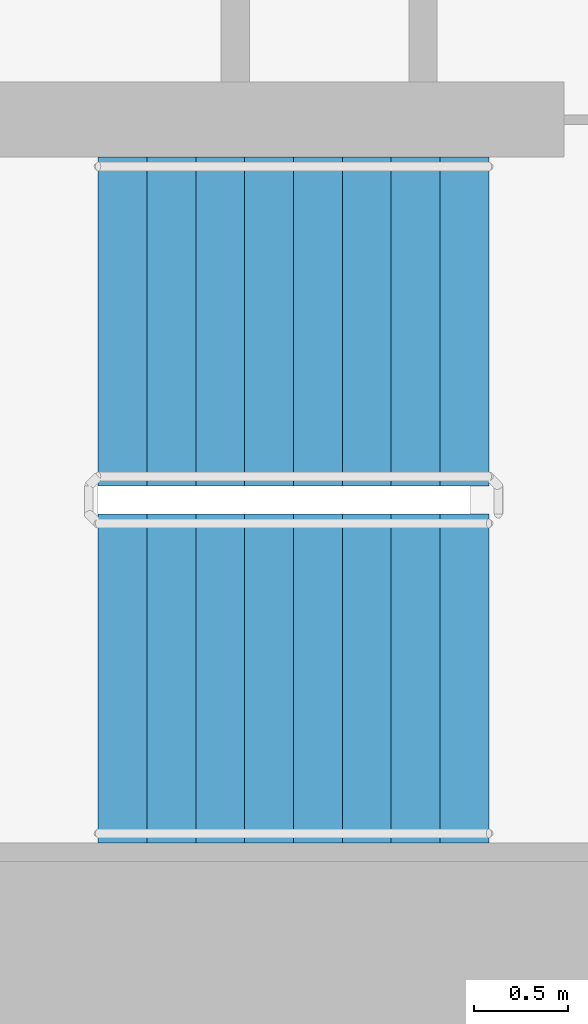
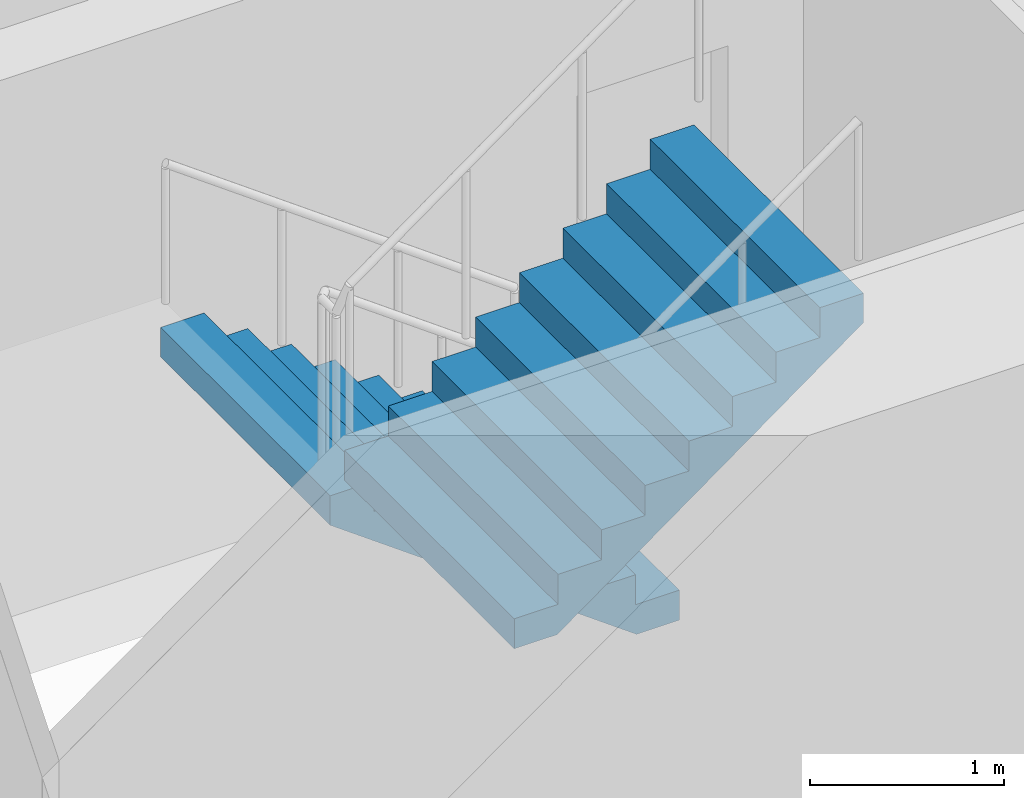
# One storey, part 16 of 21: 2 stair flights, 1 element without a shape of its own.
"""IFC4 building model written with IfcOpenShell, lengths in metres."""

from ifc_helpers import new_model, si_unit, direction, frame, origin, place, context, subcontext, project, spatial, faceted_brep, material, type_object, element, aggregate, save


model = new_model("IFC4")

# Units and contexts
model_context = context("Model", 3, precision=1e-05, world=origin(), true_north=direction((0.0, 1.0)))
body_context = subcontext(model_context, "Body", "Model", "MODEL_VIEW")
ifc_project = project(units=[si_unit("LENGTHUNIT", "METRE"), si_unit("AREAUNIT", "SQUARE_METRE"), si_unit("VOLUMEUNIT", "CUBIC_METRE"), si_unit("PLANEANGLEUNIT", "RADIAN"), si_unit("MASSUNIT", "GRAM", prefix="KILO")], contexts=[model_context])

# Site, building, storey
site_placement = place(None, origin())
site = spatial("IfcSite", under=ifc_project, at=site_placement, CompositionType="ELEMENT")
building_placement = place(site_placement, origin())
building = spatial("IfcBuilding", under=site, at=building_placement, Name="Ipe Terrace Towers", CompositionType="ELEMENT")
storey_placement = place(building_placement, frame((0.0, 0.0, 34.699951171875)))
storey = spatial("IfcBuildingStorey", under=building, at=storey_placement, Name="L08", CompositionType="ELEMENT", Elevation=34.699951171875)

# Stair, stair flights
ifc_material_1 = material(Name="Concrete C30/37", Category="concrete")
stair_type = type_object("IfcStairType", Name="Protected exit stair", PredefinedType="HALF_TURN_STAIR", material=ifc_material_1)
stair_placement = place(storey_placement, origin())
stair = element("IfcStair", 1, at=stair_placement, inside=storey, type_object=stair_type, Name="L08 Exit stair T1-C2", PredefinedType="HALF_TURN_STAIR")
ifc_material_2 = material(Name="Concrete C30/37", Category="concrete")
stair_flight_type = type_object("IfcStairFlightType", Name="Exit stair flight 1750", PredefinedType="STRAIGHT", material=ifc_material_2)
stair_flight_1_placement = place(storey_placement, frame((-45.699951171875, -2.77490234375, 0.0), z_axis=(0.0, 0.0, 1.0), x_axis=(-1.0, 0.0, 0.0)))
stair_flight_1 = element("IfcStairFlight", 2, at=stair_flight_1_placement, type_object=stair_flight_type, Name="T1-ST2 flight 1", NumberOfRisers=9, NumberOfTreads=8, PredefinedType="STRAIGHT", RiserHeight=0.188888889, TreadLength=0.26, context=body_context, shape_type="Brep", body=[
    faceted_brep([(0.255126953125, -0.875, 0.0), (2.080078125, -0.875, 1.325927734375), (2.080078125, -0.875, 1.51123046875), (1.820068359375, -0.875, 1.51123046875), (1.820068359375, -0.875, 1.322265625), (1.56005859375, -0.875, 1.322265625), (1.56005859375, -0.875, 1.13330078125), (1.300048828125, -0.875, 1.13330078125), (1.300048828125, -0.875, 0.9443359375), (1.0400390625, -0.875, 0.9443359375), (1.0400390625, -0.875, 0.755615234375), (0.780029296875, -0.875, 0.755615234375), (0.780029296875, -0.875, 0.566650390625), (0.52001953125, -0.875, 0.566650390625), (0.52001953125, -0.875, 0.377685546875), (0.260009765625, -0.875, 0.377685546875), (0.260009765625, -0.875, 0.18896484375), (0.0, -0.875, 0.18896484375), (0.0, -0.875, 0.0), (0.0, 0.875, 0.0), (0.0, 0.875, 0.18896484375), (0.260009765625, 0.875, 0.18896484375), (0.260009765625, 0.875, 0.377685546875), (0.52001953125, 0.875, 0.377685546875), (0.52001953125, 0.875, 0.566650390625), (0.780029296875, 0.875, 0.566650390625), (0.780029296875, 0.875, 0.755615234375), (1.0400390625, 0.875, 0.755615234375), (1.0400390625, 0.875, 0.9443359375), (1.300048828125, 0.875, 0.9443359375), (1.300048828125, 0.875, 1.13330078125), (1.56005859375, 0.875, 1.13330078125), (1.56005859375, 0.875, 1.322265625), (1.820068359375, 0.875, 1.322265625), (1.820068359375, 0.875, 1.51123046875), (2.080078125, 0.875, 1.51123046875), (2.080078125, 0.875, 1.325927734375), (0.255126953125, 0.875, 0.0), (0.0, -0.300048828125, 0.18896484375), (0.0, -0.1201171875, 0.18896484375), (0.0, -0.06005859375, 0.18896484375), (0.0, -0.030029296875, 0.18896484375), (0.0, -0.010009765625, 0.18896484375), (0.0, 0.0, 0.18896484375), (0.0, 0.010009765625, 0.18896484375), (0.0, 0.030029296875, 0.18896484375), (0.0, 0.06005859375, 0.18896484375), (0.0, 0.1201171875, 0.18896484375), (0.0, 0.300048828125, 0.18896484375), (0.0, 0.300048828125, 0.0), (0.0, 0.1201171875, 0.0), (0.0, 0.06005859375, 0.0), (0.0, 0.030029296875, 0.0), (0.0, 0.010009765625, 0.0), (0.0, 0.0, 0.0), (0.0, -0.010009765625, 0.0), (0.0, -0.030029296875, 0.0), (0.0, -0.06005859375, 0.0), (0.0, -0.1201171875, 0.0), (0.0, -0.300048828125, 0.0), (0.260009765625, -0.300048828125, 0.18896484375), (0.260009765625, -0.1201171875, 0.18896484375), (0.260009765625, -0.06005859375, 0.18896484375), (0.260009765625, -0.030029296875, 0.18896484375), (0.260009765625, -0.010009765625, 0.18896484375), (0.260009765625, 0.0, 0.18896484375), (0.260009765625, 0.010009765625, 0.18896484375), (0.260009765625, 0.030029296875, 0.18896484375), (0.260009765625, 0.06005859375, 0.18896484375), (0.260009765625, 0.1201171875, 0.18896484375), (0.260009765625, 0.300048828125, 0.18896484375), (0.260009765625, -0.300048828125, 0.377685546875), (0.260009765625, -0.1201171875, 0.377685546875), (0.260009765625, -0.06005859375, 0.377685546875), (0.260009765625, -0.030029296875, 0.377685546875), (0.260009765625, -0.010009765625, 0.377685546875), (0.260009765625, 0.0, 0.377685546875), (0.260009765625, 0.010009765625, 0.377685546875), (0.260009765625, 0.030029296875, 0.377685546875), (0.260009765625, 0.06005859375, 0.377685546875), (0.260009765625, 0.1201171875, 0.377685546875), (0.260009765625, 0.300048828125, 0.377685546875), (0.52001953125, -0.300048828125, 0.377685546875), (0.52001953125, -0.1201171875, 0.377685546875), (0.52001953125, -0.06005859375, 0.377685546875), (0.52001953125, -0.030029296875, 0.377685546875), (0.52001953125, -0.010009765625, 0.377685546875), (0.52001953125, 0.0, 0.377685546875), (0.52001953125, 0.010009765625, 0.377685546875), (0.52001953125, 0.030029296875, 0.377685546875), (0.52001953125, 0.06005859375, 0.377685546875), (0.52001953125, 0.1201171875, 0.377685546875), (0.52001953125, 0.300048828125, 0.377685546875), (0.52001953125, -0.300048828125, 0.566650390625), (0.52001953125, -0.1201171875, 0.566650390625), (0.52001953125, -0.06005859375, 0.566650390625), (0.52001953125, -0.030029296875, 0.566650390625), (0.52001953125, -0.010009765625, 0.566650390625), (0.52001953125, 0.0, 0.566650390625), (0.52001953125, 0.010009765625, 0.566650390625), (0.52001953125, 0.030029296875, 0.566650390625), (0.52001953125, 0.06005859375, 0.566650390625), (0.52001953125, 0.1201171875, 0.566650390625), (0.52001953125, 0.300048828125, 0.566650390625), (0.780029296875, -0.300048828125, 0.566650390625), (0.780029296875, -0.1201171875, 0.566650390625), (0.780029296875, -0.06005859375, 0.566650390625), (0.780029296875, -0.030029296875, 0.566650390625), (0.780029296875, -0.010009765625, 0.566650390625), (0.780029296875, 0.0, 0.566650390625), (0.780029296875, 0.010009765625, 0.566650390625), (0.780029296875, 0.030029296875, 0.566650390625), (0.780029296875, 0.06005859375, 0.566650390625), (0.780029296875, 0.1201171875, 0.566650390625), (0.780029296875, 0.300048828125, 0.566650390625), (0.780029296875, -0.300048828125, 0.755615234375), (0.780029296875, -0.1201171875, 0.755615234375), (0.780029296875, -0.06005859375, 0.755615234375), (0.780029296875, -0.030029296875, 0.755615234375), (0.780029296875, -0.010009765625, 0.755615234375), (0.780029296875, 0.0, 0.755615234375), (0.780029296875, 0.010009765625, 0.755615234375), (0.780029296875, 0.030029296875, 0.755615234375), (0.780029296875, 0.06005859375, 0.755615234375), (0.780029296875, 0.1201171875, 0.755615234375), (0.780029296875, 0.300048828125, 0.755615234375), (1.0400390625, -0.300048828125, 0.755615234375), (1.0400390625, -0.1201171875, 0.755615234375), (1.0400390625, -0.06005859375, 0.755615234375), (1.0400390625, -0.030029296875, 0.755615234375), (1.0400390625, -0.010009765625, 0.755615234375), (1.0400390625, 0.0, 0.755615234375), (1.0400390625, 0.010009765625, 0.755615234375), (1.0400390625, 0.030029296875, 0.755615234375), (1.0400390625, 0.06005859375, 0.755615234375), (1.0400390625, 0.1201171875, 0.755615234375), (1.0400390625, 0.300048828125, 0.755615234375), (1.0400390625, -0.300048828125, 0.9443359375), (1.0400390625, -0.1201171875, 0.9443359375), (1.0400390625, -0.06005859375, 0.9443359375), (1.0400390625, -0.030029296875, 0.9443359375), (1.0400390625, -0.010009765625, 0.9443359375), (1.0400390625, 0.0, 0.9443359375), (1.0400390625, 0.010009765625, 0.9443359375), (1.0400390625, 0.030029296875, 0.9443359375), (1.0400390625, 0.06005859375, 0.9443359375), (1.0400390625, 0.1201171875, 0.9443359375), (1.0400390625, 0.300048828125, 0.9443359375), (1.300048828125, -0.300048828125, 0.9443359375), (1.300048828125, -0.1201171875, 0.9443359375), (1.300048828125, -0.06005859375, 0.9443359375), (1.300048828125, -0.030029296875, 0.9443359375), (1.300048828125, -0.010009765625, 0.9443359375), (1.300048828125, 0.0, 0.9443359375), (1.300048828125, 0.010009765625, 0.9443359375), (1.300048828125, 0.030029296875, 0.9443359375), (1.300048828125, 0.06005859375, 0.9443359375), (1.300048828125, 0.1201171875, 0.9443359375), (1.300048828125, 0.300048828125, 0.9443359375), (1.300048828125, -0.300048828125, 1.13330078125), (1.300048828125, -0.1201171875, 1.13330078125), (1.300048828125, -0.06005859375, 1.13330078125), (1.300048828125, -0.030029296875, 1.13330078125), (1.300048828125, -0.010009765625, 1.13330078125), (1.300048828125, 0.0, 1.13330078125), (1.300048828125, 0.010009765625, 1.13330078125), (1.300048828125, 0.030029296875, 1.13330078125), (1.300048828125, 0.06005859375, 1.13330078125), (1.300048828125, 0.1201171875, 1.13330078125), (1.300048828125, 0.300048828125, 1.13330078125), (1.56005859375, -0.300048828125, 1.13330078125), (1.56005859375, -0.1201171875, 1.13330078125), (1.56005859375, -0.06005859375, 1.13330078125), (1.56005859375, -0.030029296875, 1.13330078125), (1.56005859375, -0.010009765625, 1.13330078125), (1.56005859375, 0.0, 1.13330078125), (1.56005859375, 0.010009765625, 1.13330078125), (1.56005859375, 0.030029296875, 1.13330078125), (1.56005859375, 0.06005859375, 1.13330078125), (1.56005859375, 0.1201171875, 1.13330078125), (1.56005859375, 0.300048828125, 1.13330078125), (1.56005859375, -0.300048828125, 1.322265625), (1.56005859375, -0.1201171875, 1.322265625), (1.56005859375, -0.06005859375, 1.322265625), (1.56005859375, -0.030029296875, 1.322265625), (1.56005859375, -0.010009765625, 1.322265625), (1.56005859375, 0.0, 1.322265625), (1.56005859375, 0.010009765625, 1.322265625), (1.56005859375, 0.030029296875, 1.322265625), (1.56005859375, 0.06005859375, 1.322265625), (1.56005859375, 0.1201171875, 1.322265625), (1.56005859375, 0.300048828125, 1.322265625), (1.820068359375, -0.300048828125, 1.322265625), (1.820068359375, -0.1201171875, 1.322265625), (1.820068359375, -0.06005859375, 1.322265625), (1.820068359375, -0.030029296875, 1.322265625), (1.820068359375, -0.010009765625, 1.322265625), (1.820068359375, 0.0, 1.322265625), (1.820068359375, 0.010009765625, 1.322265625), (1.820068359375, 0.030029296875, 1.322265625), (1.820068359375, 0.06005859375, 1.322265625), (1.820068359375, 0.1201171875, 1.322265625), (1.820068359375, 0.300048828125, 1.322265625), (1.820068359375, -0.300048828125, 1.51123046875), (1.820068359375, -0.1201171875, 1.51123046875), (1.820068359375, -0.06005859375, 1.51123046875), (1.820068359375, -0.030029296875, 1.51123046875), (1.820068359375, -0.010009765625, 1.51123046875), (1.820068359375, 0.0, 1.51123046875), (1.820068359375, 0.010009765625, 1.51123046875), (1.820068359375, 0.030029296875, 1.51123046875), (1.820068359375, 0.06005859375, 1.51123046875), (1.820068359375, 0.1201171875, 1.51123046875), (1.820068359375, 0.300048828125, 1.51123046875), (2.080078125, -0.300048828125, 1.51123046875), (2.080078125, -0.1201171875, 1.51123046875), (2.080078125, -0.06005859375, 1.51123046875), (2.080078125, -0.030029296875, 1.51123046875), (2.080078125, -0.010009765625, 1.51123046875), (2.080078125, 0.0, 1.51123046875), (2.080078125, 0.010009765625, 1.51123046875), (2.080078125, 0.030029296875, 1.51123046875), (2.080078125, 0.06005859375, 1.51123046875), (2.080078125, 0.1201171875, 1.51123046875), (2.080078125, 0.300048828125, 1.51123046875), (2.080078125, -0.300048828125, 1.325927734375), (2.080078125, -0.1201171875, 1.325927734375), (2.080078125, -0.06005859375, 1.325927734375), (2.080078125, -0.030029296875, 1.325927734375), (2.080078125, -0.010009765625, 1.325927734375), (2.080078125, 0.0, 1.325927734375), (2.080078125, 0.010009765625, 1.325927734375), (2.080078125, 0.030029296875, 1.325927734375), (2.080078125, 0.06005859375, 1.325927734375), (2.080078125, 0.1201171875, 1.325927734375), (2.080078125, 0.300048828125, 1.325927734375), (0.255126953125, -0.300048828125, 0.0), (0.255126953125, -0.1201171875, 0.0), (0.255126953125, -0.06005859375, 0.0), (0.255126953125, -0.030029296875, 0.0), (0.255126953125, -0.010009765625, 0.0), (0.255126953125, 0.0, 0.0), (0.255126953125, 0.010009765625, 0.0), (0.255126953125, 0.030029296875, 0.0), (0.255126953125, 0.06005859375, 0.0), (0.255126953125, 0.1201171875, 0.0), (0.255126953125, 0.300048828125, 0.0)], [[[0, 1, 2, 3, 4, 5, 6, 7, 8, 9, 10, 11, 12, 13, 14, 15, 16, 17, 18]], [[19, 20, 21, 22, 23, 24, 25, 26, 27, 28, 29, 30, 31, 32, 33, 34, 35, 36, 37]], [[17, 38, 39, 40, 41, 42, 43, 44, 45, 46, 47, 48, 20, 19, 49, 50, 51, 52, 53, 54, 55, 56, 57, 58, 59, 18]], [[16, 60, 61, 62, 63, 64, 65, 66, 67, 68, 69, 70, 21, 20, 48, 47, 46, 45, 44, 43, 42, 41, 40, 39, 38, 17]], [[15, 71, 72, 73, 74, 75, 76, 77, 78, 79, 80, 81, 22, 21, 70, 69, 68, 67, 66, 65, 64, 63, 62, 61, 60, 16]], [[14, 82, 83, 84, 85, 86, 87, 88, 89, 90, 91, 92, 23, 22, 81, 80, 79, 78, 77, 76, 75, 74, 73, 72, 71, 15]], [[13, 93, 94, 95, 96, 97, 98, 99, 100, 101, 102, 103, 24, 23, 92, 91, 90, 89, 88, 87, 86, 85, 84, 83, 82, 14]], [[12, 104, 105, 106, 107, 108, 109, 110, 111, 112, 113, 114, 25, 24, 103, 102, 101, 100, 99, 98, 97, 96, 95, 94, 93, 13]], [[11, 115, 116, 117, 118, 119, 120, 121, 122, 123, 124, 125, 26, 25, 114, 113, 112, 111, 110, 109, 108, 107, 106, 105, 104, 12]], [[10, 126, 127, 128, 129, 130, 131, 132, 133, 134, 135, 136, 27, 26, 125, 124, 123, 122, 121, 120, 119, 118, 117, 116, 115, 11]], [[9, 137, 138, 139, 140, 141, 142, 143, 144, 145, 146, 147, 28, 27, 136, 135, 134, 133, 132, 131, 130, 129, 128, 127, 126, 10]], [[8, 148, 149, 150, 151, 152, 153, 154, 155, 156, 157, 158, 29, 28, 147, 146, 145, 144, 143, 142, 141, 140, 139, 138, 137, 9]], [[7, 159, 160, 161, 162, 163, 164, 165, 166, 167, 168, 169, 30, 29, 158, 157, 156, 155, 154, 153, 152, 151, 150, 149, 148, 8]], [[6, 170, 171, 172, 173, 174, 175, 176, 177, 178, 179, 180, 31, 30, 169, 168, 167, 166, 165, 164, 163, 162, 161, 160, 159, 7]], [[5, 181, 182, 183, 184, 185, 186, 187, 188, 189, 190, 191, 32, 31, 180, 179, 178, 177, 176, 175, 174, 173, 172, 171, 170, 6]], [[4, 192, 193, 194, 195, 196, 197, 198, 199, 200, 201, 202, 33, 32, 191, 190, 189, 188, 187, 186, 185, 184, 183, 182, 181, 5]], [[3, 203, 204, 205, 206, 207, 208, 209, 210, 211, 212, 213, 34, 33, 202, 201, 200, 199, 198, 197, 196, 195, 194, 193, 192, 4]], [[2, 214, 215, 216, 217, 218, 219, 220, 221, 222, 223, 224, 35, 34, 213, 212, 211, 210, 209, 208, 207, 206, 205, 204, 203, 3]], [[1, 225, 226, 227, 228, 229, 230, 231, 232, 233, 234, 235, 36, 35, 224, 223, 222, 221, 220, 219, 218, 217, 216, 215, 214, 2]], [[0, 236, 237, 238, 239, 240, 241, 242, 243, 244, 245, 246, 37, 36, 235, 234, 233, 232, 231, 230, 229, 228, 227, 226, 225, 1]], [[18, 59, 58, 57, 56, 55, 54, 53, 52, 51, 50, 49, 19, 37, 246, 245, 244, 243, 242, 241, 240, 239, 238, 237, 236, 0]]]),
])
stair_flight_2_placement = place(storey_placement, frame((-47.780029296875, -4.675048828125, 1.699951171875), z_axis=(0.0, 0.0, 1.0), x_axis=(1.0, 0.0, 0.0)))
stair_flight_2 = element("IfcStairFlight", 3, at=stair_flight_2_placement, type_object=stair_flight_type, Name="T1-ST2 flight 2", NumberOfRisers=9, NumberOfTreads=8, PredefinedType="STRAIGHT", RiserHeight=0.188888889, TreadLength=0.26, context=body_context, shape_type="Brep", body=[
    faceted_brep([(0.255126953125, -0.875, 0.0), (2.080078125, -0.875, 1.325927734375), (2.080078125, -0.875, 1.51123046875), (1.820068359375, -0.875, 1.51123046875), (1.820068359375, -0.875, 1.322265625), (1.56005859375, -0.875, 1.322265625), (1.56005859375, -0.875, 1.13330078125), (1.300048828125, -0.875, 1.13330078125), (1.300048828125, -0.875, 0.9443359375), (1.0400390625, -0.875, 0.9443359375), (1.0400390625, -0.875, 0.755615234375), (0.780029296875, -0.875, 0.755615234375), (0.780029296875, -0.875, 0.566650390625), (0.52001953125, -0.875, 0.566650390625), (0.52001953125, -0.875, 0.377685546875), (0.260009765625, -0.875, 0.377685546875), (0.260009765625, -0.875, 0.18896484375), (0.0, -0.875, 0.18896484375), (0.0, -0.875, 0.0), (0.0, 0.875, 0.0), (0.0, 0.875, 0.18896484375), (0.260009765625, 0.875, 0.18896484375), (0.260009765625, 0.875, 0.377685546875), (0.52001953125, 0.875, 0.377685546875), (0.52001953125, 0.875, 0.566650390625), (0.780029296875, 0.875, 0.566650390625), (0.780029296875, 0.875, 0.755615234375), (1.0400390625, 0.875, 0.755615234375), (1.0400390625, 0.875, 0.9443359375), (1.300048828125, 0.875, 0.9443359375), (1.300048828125, 0.875, 1.13330078125), (1.56005859375, 0.875, 1.13330078125), (1.56005859375, 0.875, 1.322265625), (1.820068359375, 0.875, 1.322265625), (1.820068359375, 0.875, 1.51123046875), (2.080078125, 0.875, 1.51123046875), (2.080078125, 0.875, 1.325927734375), (0.255126953125, 0.875, 0.0), (0.0, -0.300048828125, 0.18896484375), (0.0, -0.1201171875, 0.18896484375), (0.0, -0.06005859375, 0.18896484375), (0.0, -0.030029296875, 0.18896484375), (0.0, -0.010009765625, 0.18896484375), (0.0, 0.0, 0.18896484375), (0.0, 0.010009765625, 0.18896484375), (0.0, 0.030029296875, 0.18896484375), (0.0, 0.06005859375, 0.18896484375), (0.0, 0.1201171875, 0.18896484375), (0.0, 0.300048828125, 0.18896484375), (0.0, 0.300048828125, 0.0), (0.0, 0.1201171875, 0.0), (0.0, 0.06005859375, 0.0), (0.0, 0.030029296875, 0.0), (0.0, 0.010009765625, 0.0), (0.0, 0.0, 0.0), (0.0, -0.010009765625, 0.0), (0.0, -0.030029296875, 0.0), (0.0, -0.06005859375, 0.0), (0.0, -0.1201171875, 0.0), (0.0, -0.300048828125, 0.0), (0.260009765625, -0.300048828125, 0.18896484375), (0.260009765625, -0.1201171875, 0.18896484375), (0.260009765625, -0.06005859375, 0.18896484375), (0.260009765625, -0.030029296875, 0.18896484375), (0.260009765625, -0.010009765625, 0.18896484375), (0.260009765625, 0.0, 0.18896484375), (0.260009765625, 0.010009765625, 0.18896484375), (0.260009765625, 0.030029296875, 0.18896484375), (0.260009765625, 0.06005859375, 0.18896484375), (0.260009765625, 0.1201171875, 0.18896484375), (0.260009765625, 0.300048828125, 0.18896484375), (0.260009765625, -0.300048828125, 0.377685546875), (0.260009765625, -0.1201171875, 0.377685546875), (0.260009765625, -0.06005859375, 0.377685546875), (0.260009765625, -0.030029296875, 0.377685546875), (0.260009765625, -0.010009765625, 0.377685546875), (0.260009765625, 0.0, 0.377685546875), (0.260009765625, 0.010009765625, 0.377685546875), (0.260009765625, 0.030029296875, 0.377685546875), (0.260009765625, 0.06005859375, 0.377685546875), (0.260009765625, 0.1201171875, 0.377685546875), (0.260009765625, 0.300048828125, 0.377685546875), (0.52001953125, -0.300048828125, 0.377685546875), (0.52001953125, -0.1201171875, 0.377685546875), (0.52001953125, -0.06005859375, 0.377685546875), (0.52001953125, -0.030029296875, 0.377685546875), (0.52001953125, -0.010009765625, 0.377685546875), (0.52001953125, 0.0, 0.377685546875), (0.52001953125, 0.010009765625, 0.377685546875), (0.52001953125, 0.030029296875, 0.377685546875), (0.52001953125, 0.06005859375, 0.377685546875), (0.52001953125, 0.1201171875, 0.377685546875), (0.52001953125, 0.300048828125, 0.377685546875), (0.52001953125, -0.300048828125, 0.566650390625), (0.52001953125, -0.1201171875, 0.566650390625), (0.52001953125, -0.06005859375, 0.566650390625), (0.52001953125, -0.030029296875, 0.566650390625), (0.52001953125, -0.010009765625, 0.566650390625), (0.52001953125, 0.0, 0.566650390625), (0.52001953125, 0.010009765625, 0.566650390625), (0.52001953125, 0.030029296875, 0.566650390625), (0.52001953125, 0.06005859375, 0.566650390625), (0.52001953125, 0.1201171875, 0.566650390625), (0.52001953125, 0.300048828125, 0.566650390625), (0.780029296875, -0.300048828125, 0.566650390625), (0.780029296875, -0.1201171875, 0.566650390625), (0.780029296875, -0.06005859375, 0.566650390625), (0.780029296875, -0.030029296875, 0.566650390625), (0.780029296875, -0.010009765625, 0.566650390625), (0.780029296875, 0.0, 0.566650390625), (0.780029296875, 0.010009765625, 0.566650390625), (0.780029296875, 0.030029296875, 0.566650390625), (0.780029296875, 0.06005859375, 0.566650390625), (0.780029296875, 0.1201171875, 0.566650390625), (0.780029296875, 0.300048828125, 0.566650390625), (0.780029296875, -0.300048828125, 0.755615234375), (0.780029296875, -0.1201171875, 0.755615234375), (0.780029296875, -0.06005859375, 0.755615234375), (0.780029296875, -0.030029296875, 0.755615234375), (0.780029296875, -0.010009765625, 0.755615234375), (0.780029296875, 0.0, 0.755615234375), (0.780029296875, 0.010009765625, 0.755615234375), (0.780029296875, 0.030029296875, 0.755615234375), (0.780029296875, 0.06005859375, 0.755615234375), (0.780029296875, 0.1201171875, 0.755615234375), (0.780029296875, 0.300048828125, 0.755615234375), (1.0400390625, -0.300048828125, 0.755615234375), (1.0400390625, -0.1201171875, 0.755615234375), (1.0400390625, -0.06005859375, 0.755615234375), (1.0400390625, -0.030029296875, 0.755615234375), (1.0400390625, -0.010009765625, 0.755615234375), (1.0400390625, 0.0, 0.755615234375), (1.0400390625, 0.010009765625, 0.755615234375), (1.0400390625, 0.030029296875, 0.755615234375), (1.0400390625, 0.06005859375, 0.755615234375), (1.0400390625, 0.1201171875, 0.755615234375), (1.0400390625, 0.300048828125, 0.755615234375), (1.0400390625, -0.300048828125, 0.9443359375), (1.0400390625, -0.1201171875, 0.9443359375), (1.0400390625, -0.06005859375, 0.9443359375), (1.0400390625, -0.030029296875, 0.9443359375), (1.0400390625, -0.010009765625, 0.9443359375), (1.0400390625, 0.0, 0.9443359375), (1.0400390625, 0.010009765625, 0.9443359375), (1.0400390625, 0.030029296875, 0.9443359375), (1.0400390625, 0.06005859375, 0.9443359375), (1.0400390625, 0.1201171875, 0.9443359375), (1.0400390625, 0.300048828125, 0.9443359375), (1.300048828125, -0.300048828125, 0.9443359375), (1.300048828125, -0.1201171875, 0.9443359375), (1.300048828125, -0.06005859375, 0.9443359375), (1.300048828125, -0.030029296875, 0.9443359375), (1.300048828125, -0.010009765625, 0.9443359375), (1.300048828125, 0.0, 0.9443359375), (1.300048828125, 0.010009765625, 0.9443359375), (1.300048828125, 0.030029296875, 0.9443359375), (1.300048828125, 0.06005859375, 0.9443359375), (1.300048828125, 0.1201171875, 0.9443359375), (1.300048828125, 0.300048828125, 0.9443359375), (1.300048828125, -0.300048828125, 1.13330078125), (1.300048828125, -0.1201171875, 1.13330078125), (1.300048828125, -0.06005859375, 1.13330078125), (1.300048828125, -0.030029296875, 1.13330078125), (1.300048828125, -0.010009765625, 1.13330078125), (1.300048828125, 0.0, 1.13330078125), (1.300048828125, 0.010009765625, 1.13330078125), (1.300048828125, 0.030029296875, 1.13330078125), (1.300048828125, 0.06005859375, 1.13330078125), (1.300048828125, 0.1201171875, 1.13330078125), (1.300048828125, 0.300048828125, 1.13330078125), (1.56005859375, -0.300048828125, 1.13330078125), (1.56005859375, -0.1201171875, 1.13330078125), (1.56005859375, -0.06005859375, 1.13330078125), (1.56005859375, -0.030029296875, 1.13330078125), (1.56005859375, -0.010009765625, 1.13330078125), (1.56005859375, 0.0, 1.13330078125), (1.56005859375, 0.010009765625, 1.13330078125), (1.56005859375, 0.030029296875, 1.13330078125), (1.56005859375, 0.06005859375, 1.13330078125), (1.56005859375, 0.1201171875, 1.13330078125), (1.56005859375, 0.300048828125, 1.13330078125), (1.56005859375, -0.300048828125, 1.322265625), (1.56005859375, -0.1201171875, 1.322265625), (1.56005859375, -0.06005859375, 1.322265625), (1.56005859375, -0.030029296875, 1.322265625), (1.56005859375, -0.010009765625, 1.322265625), (1.56005859375, 0.0, 1.322265625), (1.56005859375, 0.010009765625, 1.322265625), (1.56005859375, 0.030029296875, 1.322265625), (1.56005859375, 0.06005859375, 1.322265625), (1.56005859375, 0.1201171875, 1.322265625), (1.56005859375, 0.300048828125, 1.322265625), (1.820068359375, -0.300048828125, 1.322265625), (1.820068359375, -0.1201171875, 1.322265625), (1.820068359375, -0.06005859375, 1.322265625), (1.820068359375, -0.030029296875, 1.322265625), (1.820068359375, -0.010009765625, 1.322265625), (1.820068359375, 0.0, 1.322265625), (1.820068359375, 0.010009765625, 1.322265625), (1.820068359375, 0.030029296875, 1.322265625), (1.820068359375, 0.06005859375, 1.322265625), (1.820068359375, 0.1201171875, 1.322265625), (1.820068359375, 0.300048828125, 1.322265625), (1.820068359375, -0.300048828125, 1.51123046875), (1.820068359375, -0.1201171875, 1.51123046875), (1.820068359375, -0.06005859375, 1.51123046875), (1.820068359375, -0.030029296875, 1.51123046875), (1.820068359375, -0.010009765625, 1.51123046875), (1.820068359375, 0.0, 1.51123046875), (1.820068359375, 0.010009765625, 1.51123046875), (1.820068359375, 0.030029296875, 1.51123046875), (1.820068359375, 0.06005859375, 1.51123046875), (1.820068359375, 0.1201171875, 1.51123046875), (1.820068359375, 0.300048828125, 1.51123046875), (2.080078125, -0.300048828125, 1.51123046875), (2.080078125, -0.1201171875, 1.51123046875), (2.080078125, -0.06005859375, 1.51123046875), (2.080078125, -0.030029296875, 1.51123046875), (2.080078125, -0.010009765625, 1.51123046875), (2.080078125, 0.0, 1.51123046875), (2.080078125, 0.010009765625, 1.51123046875), (2.080078125, 0.030029296875, 1.51123046875), (2.080078125, 0.06005859375, 1.51123046875), (2.080078125, 0.1201171875, 1.51123046875), (2.080078125, 0.300048828125, 1.51123046875), (2.080078125, -0.300048828125, 1.325927734375), (2.080078125, -0.1201171875, 1.325927734375), (2.080078125, -0.06005859375, 1.325927734375), (2.080078125, -0.030029296875, 1.325927734375), (2.080078125, -0.010009765625, 1.325927734375), (2.080078125, 0.0, 1.325927734375), (2.080078125, 0.010009765625, 1.325927734375), (2.080078125, 0.030029296875, 1.325927734375), (2.080078125, 0.06005859375, 1.325927734375), (2.080078125, 0.1201171875, 1.325927734375), (2.080078125, 0.300048828125, 1.325927734375), (0.255126953125, -0.300048828125, 0.0), (0.255126953125, -0.1201171875, 0.0), (0.255126953125, -0.06005859375, 0.0), (0.255126953125, -0.030029296875, 0.0), (0.255126953125, -0.010009765625, 0.0), (0.255126953125, 0.0, 0.0), (0.255126953125, 0.010009765625, 0.0), (0.255126953125, 0.030029296875, 0.0), (0.255126953125, 0.06005859375, 0.0), (0.255126953125, 0.1201171875, 0.0), (0.255126953125, 0.300048828125, 0.0)], [[[0, 1, 2, 3, 4, 5, 6, 7, 8, 9, 10, 11, 12, 13, 14, 15, 16, 17, 18]], [[19, 20, 21, 22, 23, 24, 25, 26, 27, 28, 29, 30, 31, 32, 33, 34, 35, 36, 37]], [[17, 38, 39, 40, 41, 42, 43, 44, 45, 46, 47, 48, 20, 19, 49, 50, 51, 52, 53, 54, 55, 56, 57, 58, 59, 18]], [[16, 60, 61, 62, 63, 64, 65, 66, 67, 68, 69, 70, 21, 20, 48, 47, 46, 45, 44, 43, 42, 41, 40, 39, 38, 17]], [[15, 71, 72, 73, 74, 75, 76, 77, 78, 79, 80, 81, 22, 21, 70, 69, 68, 67, 66, 65, 64, 63, 62, 61, 60, 16]], [[14, 82, 83, 84, 85, 86, 87, 88, 89, 90, 91, 92, 23, 22, 81, 80, 79, 78, 77, 76, 75, 74, 73, 72, 71, 15]], [[13, 93, 94, 95, 96, 97, 98, 99, 100, 101, 102, 103, 24, 23, 92, 91, 90, 89, 88, 87, 86, 85, 84, 83, 82, 14]], [[12, 104, 105, 106, 107, 108, 109, 110, 111, 112, 113, 114, 25, 24, 103, 102, 101, 100, 99, 98, 97, 96, 95, 94, 93, 13]], [[11, 115, 116, 117, 118, 119, 120, 121, 122, 123, 124, 125, 26, 25, 114, 113, 112, 111, 110, 109, 108, 107, 106, 105, 104, 12]], [[10, 126, 127, 128, 129, 130, 131, 132, 133, 134, 135, 136, 27, 26, 125, 124, 123, 122, 121, 120, 119, 118, 117, 116, 115, 11]], [[9, 137, 138, 139, 140, 141, 142, 143, 144, 145, 146, 147, 28, 27, 136, 135, 134, 133, 132, 131, 130, 129, 128, 127, 126, 10]], [[8, 148, 149, 150, 151, 152, 153, 154, 155, 156, 157, 158, 29, 28, 147, 146, 145, 144, 143, 142, 141, 140, 139, 138, 137, 9]], [[7, 159, 160, 161, 162, 163, 164, 165, 166, 167, 168, 169, 30, 29, 158, 157, 156, 155, 154, 153, 152, 151, 150, 149, 148, 8]], [[6, 170, 171, 172, 173, 174, 175, 176, 177, 178, 179, 180, 31, 30, 169, 168, 167, 166, 165, 164, 163, 162, 161, 160, 159, 7]], [[5, 181, 182, 183, 184, 185, 186, 187, 188, 189, 190, 191, 32, 31, 180, 179, 178, 177, 176, 175, 174, 173, 172, 171, 170, 6]], [[4, 192, 193, 194, 195, 196, 197, 198, 199, 200, 201, 202, 33, 32, 191, 190, 189, 188, 187, 186, 185, 184, 183, 182, 181, 5]], [[3, 203, 204, 205, 206, 207, 208, 209, 210, 211, 212, 213, 34, 33, 202, 201, 200, 199, 198, 197, 196, 195, 194, 193, 192, 4]], [[2, 214, 215, 216, 217, 218, 219, 220, 221, 222, 223, 224, 35, 34, 213, 212, 211, 210, 209, 208, 207, 206, 205, 204, 203, 3]], [[1, 225, 226, 227, 228, 229, 230, 231, 232, 233, 234, 235, 36, 35, 224, 223, 222, 221, 220, 219, 218, 217, 216, 215, 214, 2]], [[0, 236, 237, 238, 239, 240, 241, 242, 243, 244, 245, 246, 37, 36, 235, 234, 233, 232, 231, 230, 229, 228, 227, 226, 225, 1]], [[18, 59, 58, 57, 56, 55, 54, 53, 52, 51, 50, 49, 19, 37, 246, 245, 244, 243, 242, 241, 240, 239, 238, 237, 236, 0]]]),
])
aggregate(stair, [stair_flight_1, stair_flight_2])

save(model, "model.ifc")
